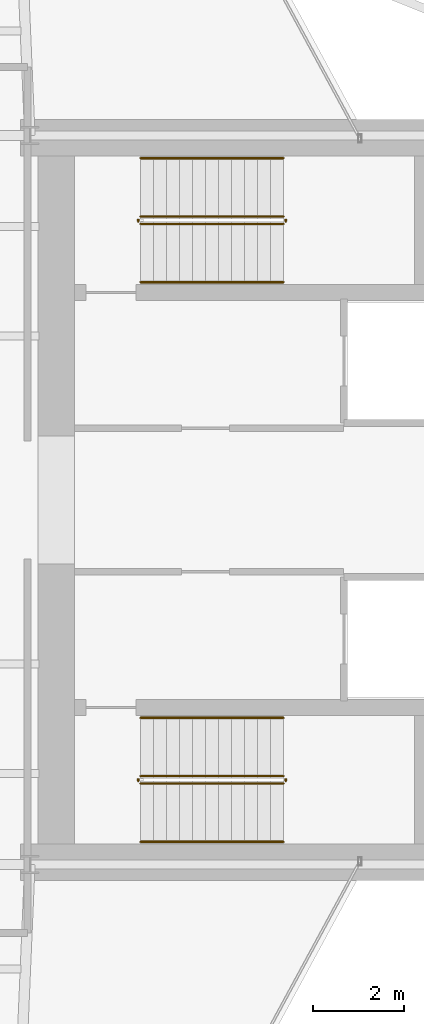
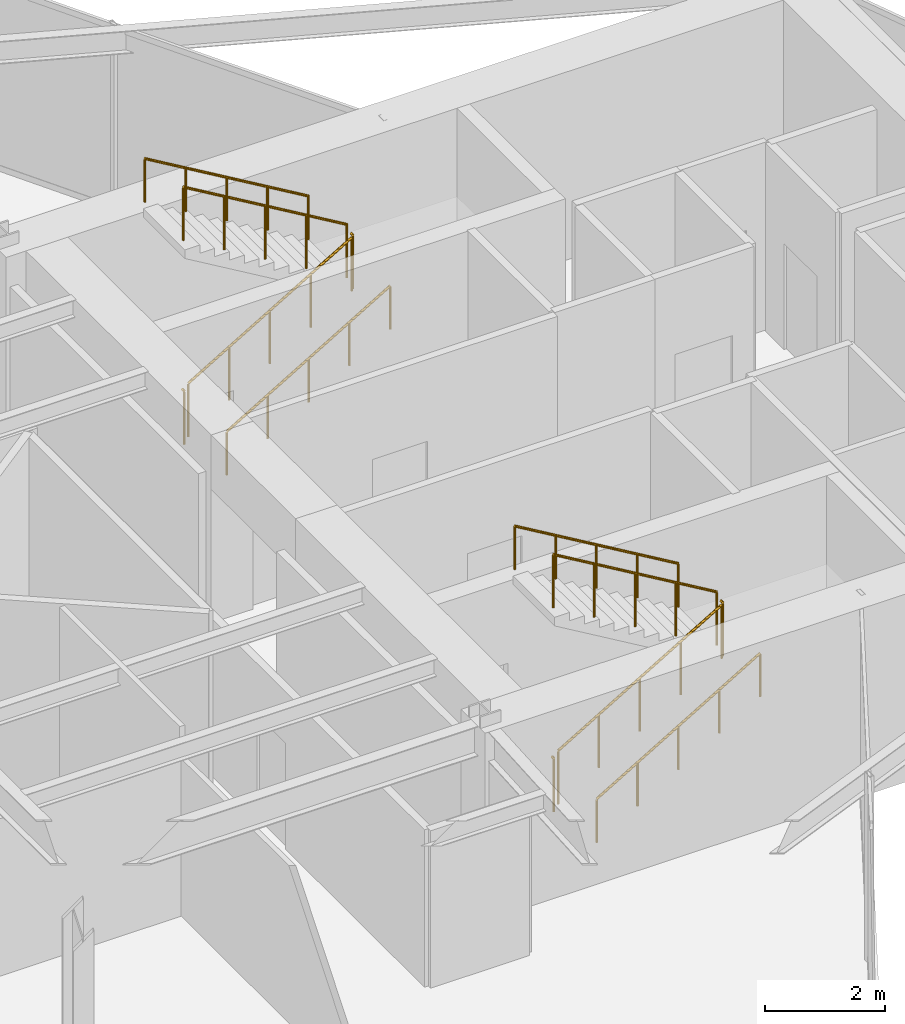
# One storey, part 26 of 26: 12 railings.
"""IFC4 building model written with IfcOpenShell, lengths in metres."""

from ifc_helpers import new_model, si_unit, direction, frame, origin, origin_2d, place, context, subcontext, project, spatial, circle, extrude, material, type_object, element, save


model = new_model("IFC4")

# Units and contexts
model_context = context("Model", 3, precision=1e-05, world=origin(), true_north=direction((0.0, 1.0)))
body_context = subcontext(model_context, "Body", "Model", "MODEL_VIEW")
ifc_project = project(units=[si_unit("LENGTHUNIT", "METRE"), si_unit("AREAUNIT", "SQUARE_METRE"), si_unit("VOLUMEUNIT", "CUBIC_METRE"), si_unit("PLANEANGLEUNIT", "RADIAN"), si_unit("MASSUNIT", "GRAM", prefix="KILO")], contexts=[model_context])

# Site, building, storey
site_placement = place(None, origin())
site = spatial("IfcSite", under=ifc_project, at=site_placement, CompositionType="ELEMENT")
building_placement = place(site_placement, origin())
building = spatial("IfcBuilding", under=site, at=building_placement, Name="Veymaron Broadcast Tower", CompositionType="ELEMENT")
storey_placement = place(building_placement, frame((0.0, 0.0, 153.300048828125)))
storey = spatial("IfcBuildingStorey", under=building, at=storey_placement, Name="L35", CompositionType="ELEMENT", Elevation=153.300048828125)

# Railings
ifc_material_1 = material(Name="Brushed stainless steel AISI 304", Category="steel")
railing_type_1 = type_object("IfcRailingType", Name="RAIL-STAIR-HR", PredefinedType="HANDRAIL", material=ifc_material_1)
railing_1_placement = place(storey_placement, frame((41.429931640625, 28.780029296875, 0.168701171875)))
element("IfcRailing", 1, at=railing_1_placement, inside=storey, type_object=railing_type_1, Name="L35 ST1 stair handrail 1", PredefinedType="HANDRAIL", context=body_context, shape_type="SweptSolid", body=[
    extrude(circle(Radius=0.02392578125, at=origin_2d()), frame((0.0, 0.0, 0.8759765625), z_axis=(0.860481960309, 0.0, 0.509480908359), x_axis=(0.0, 1.0, 0.0)), (0.0, 0.0, 1.0), 3.643310546875),
    extrude(circle(Radius=0.02099609375, at=origin_2d()), origin(), (0.0, 0.0, 1.0), 0.851806640625),
    extrude(circle(Radius=0.02099609375, at=origin_2d()), frame((0.78369140625, 0.0, 0.464111328125)), (0.0, 0.0, 1.0), 0.851806640625),
    extrude(circle(Radius=0.02099609375, at=origin_2d()), frame((1.5673828125, 0.0, 0.92822265625)), (0.0, 0.0, 1.0), 0.851806640625),
    extrude(circle(Radius=0.02099609375, at=origin_2d()), frame((2.351318359375, 0.0, 1.39208984375)), (0.0, 0.0, 1.0), 0.851806640625),
    extrude(circle(Radius=0.02099609375, at=origin_2d()), frame((3.135009765625, 0.0, 1.856201171875)), (0.0, 0.0, 1.0), 0.851806640625),
])
railing_2_placement = place(storey_placement, frame((44.56494140625, 31.5, 2.193603515625)))
element("IfcRailing", 2, at=railing_2_placement, inside=storey, type_object=railing_type_1, Name="L35 ST1 stair handrail 2", PredefinedType="HANDRAIL", context=body_context, shape_type="SweptSolid", body=[
    extrude(circle(Radius=0.02392578125, at=origin_2d()), frame((0.0, 0.0, 0.8759765625), z_axis=(-0.860452582533, 0.0, 0.509530522356), x_axis=(0.0, -1.0, 0.0)), (0.0, 0.0, 1.0), 3.6435546875),
    extrude(circle(Radius=0.02099609375, at=origin_2d()), origin(), (0.0, 0.0, 1.0), 0.851806640625),
    extrude(circle(Radius=0.02099609375, at=origin_2d()), frame((-0.78369140625, 0.0, 0.464111328125)), (0.0, 0.0, 1.0), 0.851806640625),
    extrude(circle(Radius=0.02099609375, at=origin_2d()), frame((-1.5673828125, 0.0, 0.92822265625)), (0.0, 0.0, 1.0), 0.851806640625),
    extrude(circle(Radius=0.02099609375, at=origin_2d()), frame((-2.351318359375, 0.0, 1.392333984375)), (0.0, 0.0, 1.0), 0.851806640625),
    extrude(circle(Radius=0.02099609375, at=origin_2d()), frame((-3.135009765625, 0.0, 1.8564453125)), (0.0, 0.0, 1.0), 0.851806640625),
])
railing_3_placement = place(storey_placement, frame((41.429931640625, 16.5, 0.168701171875)))
element("IfcRailing", 3, at=railing_3_placement, inside=storey, type_object=railing_type_1, Name="L35 ST2 stair handrail 1", PredefinedType="HANDRAIL", context=body_context, shape_type="SweptSolid", body=[
    extrude(circle(Radius=0.02392578125, at=origin_2d()), frame((0.0, 0.0, 0.8759765625), z_axis=(0.860481960309, 0.0, 0.509480908359), x_axis=(0.0, 1.0, 0.0)), (0.0, 0.0, 1.0), 3.643310546875),
    extrude(circle(Radius=0.02099609375, at=origin_2d()), origin(), (0.0, 0.0, 1.0), 0.851806640625),
    extrude(circle(Radius=0.02099609375, at=origin_2d()), frame((0.78369140625, 0.0, 0.464111328125)), (0.0, 0.0, 1.0), 0.851806640625),
    extrude(circle(Radius=0.02099609375, at=origin_2d()), frame((1.5673828125, 0.0, 0.92822265625)), (0.0, 0.0, 1.0), 0.851806640625),
    extrude(circle(Radius=0.02099609375, at=origin_2d()), frame((2.351318359375, 0.0, 1.39208984375)), (0.0, 0.0, 1.0), 0.851806640625),
    extrude(circle(Radius=0.02099609375, at=origin_2d()), frame((3.135009765625, 0.0, 1.856201171875)), (0.0, 0.0, 1.0), 0.851806640625),
])
railing_4_placement = place(storey_placement, frame((44.56494140625, 19.219970703125, 2.193603515625)))
element("IfcRailing", 4, at=railing_4_placement, inside=storey, type_object=railing_type_1, Name="L35 ST2 stair handrail 2", PredefinedType="HANDRAIL", context=body_context, shape_type="SweptSolid", body=[
    extrude(circle(Radius=0.02392578125, at=origin_2d()), frame((0.0, 0.0, 0.8759765625), z_axis=(-0.860452582533, 0.0, 0.509530522356), x_axis=(0.0, -1.0, 0.0)), (0.0, 0.0, 1.0), 3.6435546875),
    extrude(circle(Radius=0.02099609375, at=origin_2d()), origin(), (0.0, 0.0, 1.0), 0.851806640625),
    extrude(circle(Radius=0.02099609375, at=origin_2d()), frame((-0.78369140625, 0.0, 0.464111328125)), (0.0, 0.0, 1.0), 0.851806640625),
    extrude(circle(Radius=0.02099609375, at=origin_2d()), frame((-1.5673828125, 0.0, 0.92822265625)), (0.0, 0.0, 1.0), 0.851806640625),
    extrude(circle(Radius=0.02099609375, at=origin_2d()), frame((-2.351318359375, 0.0, 1.392333984375)), (0.0, 0.0, 1.0), 0.851806640625),
    extrude(circle(Radius=0.02099609375, at=origin_2d()), frame((-3.135009765625, 0.0, 1.8564453125)), (0.0, 0.0, 1.0), 0.851806640625),
])
ifc_material_2 = material(Name="Painted galvanized steel balustrade", Category="steel")
railing_type_2 = type_object("IfcRailingType", Name="RAIL-WELL-GRD", PredefinedType="GUARDRAIL", material=ifc_material_2)
railing_5_placement = place(storey_placement, frame((41.429931640625, 30.06005859375, 0.168701171875)))
element("IfcRailing", 5, at=railing_5_placement, inside=storey, type_object=railing_type_2, Name="L35 ST1 stair guard 1", PredefinedType="GUARDRAIL", context=body_context, shape_type="SweptSolid", body=[
    extrude(circle(Radius=0.02392578125, at=origin_2d()), frame((0.0, 0.0, 1.076171875), z_axis=(0.860481960309, 0.0, 0.509480908359), x_axis=(0.0, 1.0, 0.0)), (0.0, 0.0, 1.0), 3.643310546875),
    extrude(circle(Radius=0.02099609375, at=origin_2d()), origin(), (0.0, 0.0, 1.0), 1.052001953125),
    extrude(circle(Radius=0.02099609375, at=origin_2d()), frame((0.78369140625, 0.0, 0.464111328125)), (0.0, 0.0, 1.0), 1.052001953125),
    extrude(circle(Radius=0.02099609375, at=origin_2d()), frame((1.5673828125, 0.0, 0.92822265625)), (0.0, 0.0, 1.0), 1.052001953125),
    extrude(circle(Radius=0.02099609375, at=origin_2d()), frame((2.351318359375, 0.0, 1.39208984375)), (0.0, 0.0, 1.0), 1.052001953125),
    extrude(circle(Radius=0.02099609375, at=origin_2d()), frame((3.135009765625, 0.0, 1.856201171875)), (0.0, 0.0, 1.0), 1.052001953125),
])
railing_6_placement = place(storey_placement, frame((44.614990234375, 30.110107421875, 2.02490234375)))
element("IfcRailing", 6, at=railing_6_placement, inside=storey, type_object=railing_type_2, Name="L35 ST1 stair guard 2", PredefinedType="GUARDRAIL", context=body_context, shape_type="SweptSolid", body=[
    extrude(circle(Radius=0.02392578125, at=origin_2d()), frame((0.0, 0.0, 1.076171875), z_axis=(0.0, 1.0, 0.0), x_axis=(-1.0, 0.0, 0.0)), (0.0, 0.0, 1.0), 0.059814453125),
    extrude(circle(Radius=0.02099609375, at=origin_2d()), origin(), (0.0, 0.0, 1.0), 1.052001953125),
])
railing_7_placement = place(storey_placement, frame((44.56494140625, 30.219970703125, 2.193603515625)))
element("IfcRailing", 7, at=railing_7_placement, inside=storey, type_object=railing_type_2, Name="L35 ST1 stair guard 3", PredefinedType="GUARDRAIL", context=body_context, shape_type="SweptSolid", body=[
    extrude(circle(Radius=0.02392578125, at=origin_2d()), frame((0.0, 0.0, 1.076171875), z_axis=(-0.860452582533, 0.0, 0.509530522356), x_axis=(0.0, -1.0, 0.0)), (0.0, 0.0, 1.0), 3.6435546875),
    extrude(circle(Radius=0.02099609375, at=origin_2d()), origin(), (0.0, 0.0, 1.0), 1.052001953125),
    extrude(circle(Radius=0.02099609375, at=origin_2d()), frame((-0.78369140625, 0.0, 0.464111328125)), (0.0, 0.0, 1.0), 1.052001953125),
    extrude(circle(Radius=0.02099609375, at=origin_2d()), frame((-1.5673828125, 0.0, 0.92822265625)), (0.0, 0.0, 1.0), 1.052001953125),
    extrude(circle(Radius=0.02099609375, at=origin_2d()), frame((-2.351318359375, 0.0, 1.392333984375)), (0.0, 0.0, 1.0), 1.052001953125),
    extrude(circle(Radius=0.02099609375, at=origin_2d()), frame((-3.135009765625, 0.0, 1.8564453125)), (0.0, 0.0, 1.0), 1.052001953125),
])
railing_8_placement = place(storey_placement, frame((41.3798828125, 30.110107421875, 0.0)))
element("IfcRailing", 8, at=railing_8_placement, inside=storey, type_object=railing_type_2, Name="L35 ST1 stair guard 4", PredefinedType="GUARDRAIL", context=body_context, shape_type="SweptSolid", body=[
    extrude(circle(Radius=0.02392578125, at=origin_2d()), frame((0.0, 0.0, 1.076171875), z_axis=(0.0, 1.0, 0.0), x_axis=(-1.0, 0.0, 0.0)), (0.0, 0.0, 1.0), 0.059814453125),
    extrude(circle(Radius=0.02099609375, at=origin_2d()), origin(), (0.0, 0.0, 1.0), 1.052001953125),
])
railing_9_placement = place(storey_placement, frame((41.429931640625, 17.780029296875, 0.168701171875)))
element("IfcRailing", 9, at=railing_9_placement, inside=storey, type_object=railing_type_2, Name="L35 ST2 stair guard 1", PredefinedType="GUARDRAIL", context=body_context, shape_type="SweptSolid", body=[
    extrude(circle(Radius=0.02392578125, at=origin_2d()), frame((0.0, 0.0, 1.076171875), z_axis=(0.860481960309, 0.0, 0.509480908359), x_axis=(0.0, 1.0, 0.0)), (0.0, 0.0, 1.0), 3.643310546875),
    extrude(circle(Radius=0.02099609375, at=origin_2d()), origin(), (0.0, 0.0, 1.0), 1.052001953125),
    extrude(circle(Radius=0.02099609375, at=origin_2d()), frame((0.78369140625, 0.0, 0.464111328125)), (0.0, 0.0, 1.0), 1.052001953125),
    extrude(circle(Radius=0.02099609375, at=origin_2d()), frame((1.5673828125, 0.0, 0.92822265625)), (0.0, 0.0, 1.0), 1.052001953125),
    extrude(circle(Radius=0.02099609375, at=origin_2d()), frame((2.351318359375, 0.0, 1.39208984375)), (0.0, 0.0, 1.0), 1.052001953125),
    extrude(circle(Radius=0.02099609375, at=origin_2d()), frame((3.135009765625, 0.0, 1.856201171875)), (0.0, 0.0, 1.0), 1.052001953125),
])
railing_10_placement = place(storey_placement, frame((44.614990234375, 17.830078125, 2.02490234375)))
element("IfcRailing", 10, at=railing_10_placement, inside=storey, type_object=railing_type_2, Name="L35 ST2 stair guard 2", PredefinedType="GUARDRAIL", context=body_context, shape_type="SweptSolid", body=[
    extrude(circle(Radius=0.02392578125, at=origin_2d()), frame((0.0, 0.0, 1.076171875), z_axis=(0.0, 1.0, 0.0), x_axis=(-1.0, 0.0, 0.0)), (0.0, 0.0, 1.0), 0.059814453125),
    extrude(circle(Radius=0.02099609375, at=origin_2d()), origin(), (0.0, 0.0, 1.0), 1.052001953125),
])
railing_11_placement = place(storey_placement, frame((44.56494140625, 17.93994140625, 2.193603515625)))
element("IfcRailing", 11, at=railing_11_placement, inside=storey, type_object=railing_type_2, Name="L35 ST2 stair guard 3", PredefinedType="GUARDRAIL", context=body_context, shape_type="SweptSolid", body=[
    extrude(circle(Radius=0.02392578125, at=origin_2d()), frame((0.0, 0.0, 1.076171875), z_axis=(-0.860452582533, 0.0, 0.509530522356), x_axis=(0.0, -1.0, 0.0)), (0.0, 0.0, 1.0), 3.6435546875),
    extrude(circle(Radius=0.02099609375, at=origin_2d()), origin(), (0.0, 0.0, 1.0), 1.052001953125),
    extrude(circle(Radius=0.02099609375, at=origin_2d()), frame((-0.78369140625, 0.0, 0.464111328125)), (0.0, 0.0, 1.0), 1.052001953125),
    extrude(circle(Radius=0.02099609375, at=origin_2d()), frame((-1.5673828125, 0.0, 0.92822265625)), (0.0, 0.0, 1.0), 1.052001953125),
    extrude(circle(Radius=0.02099609375, at=origin_2d()), frame((-2.351318359375, 0.0, 1.392333984375)), (0.0, 0.0, 1.0), 1.052001953125),
    extrude(circle(Radius=0.02099609375, at=origin_2d()), frame((-3.135009765625, 0.0, 1.8564453125)), (0.0, 0.0, 1.0), 1.052001953125),
])
railing_12_placement = place(storey_placement, frame((41.3798828125, 17.830078125, 0.0)))
element("IfcRailing", 12, at=railing_12_placement, inside=storey, type_object=railing_type_2, Name="L35 ST2 stair guard 4", PredefinedType="GUARDRAIL", context=body_context, shape_type="SweptSolid", body=[
    extrude(circle(Radius=0.02392578125, at=origin_2d()), frame((0.0, 0.0, 1.076171875), z_axis=(0.0, 1.0, 0.0), x_axis=(-1.0, 0.0, 0.0)), (0.0, 0.0, 1.0), 0.059814453125),
    extrude(circle(Radius=0.02099609375, at=origin_2d()), origin(), (0.0, 0.0, 1.0), 1.052001953125),
])

save(model, "model.ifc")
